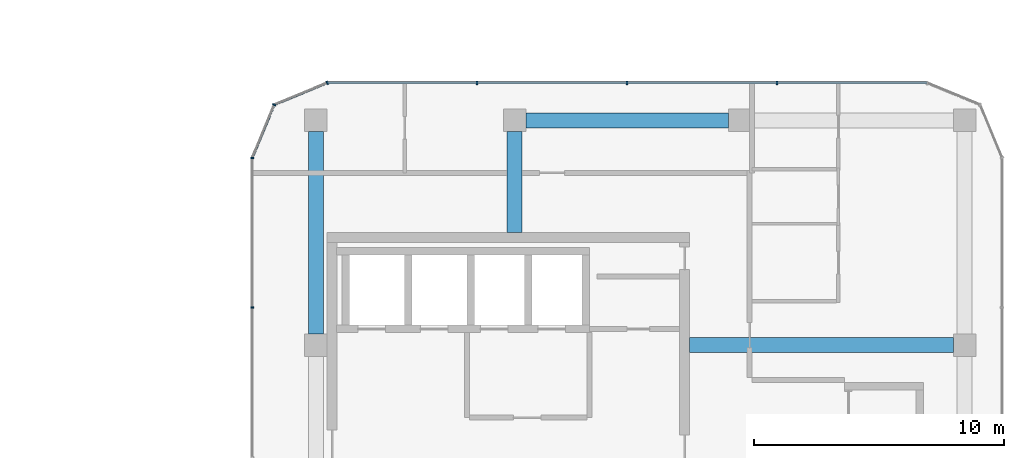
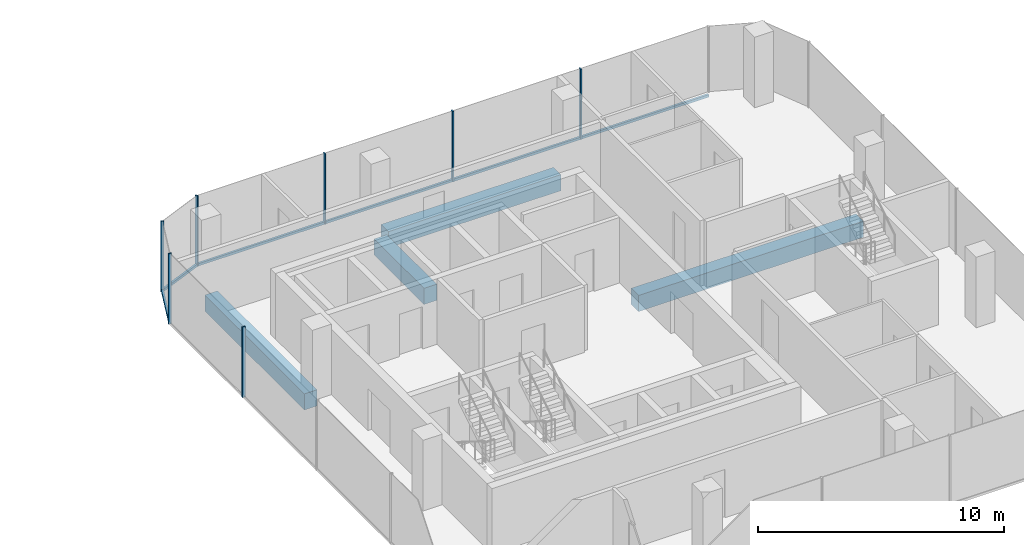
# One storey, part 9 of 23: 10 members, 4 beams, 4 elements without a shape of their own.
"""IFC4 building model written with IfcOpenShell, lengths in metres."""

from ifc_helpers import new_model, si_unit, direction, frame, origin, origin_2d, place, context, subcontext, project, spatial, rectangle, extrude, material, layer, layer_set, material_profile, profile_set, type_object, element, aggregate, save


model = new_model("IFC4")

# Units and contexts
model_context = context("Model", 3, precision=1e-05, world=origin(), true_north=direction((0.0, 1.0)))
body_context = subcontext(model_context, "Body", "Model", "MODEL_VIEW")
ifc_project = project(units=[si_unit("LENGTHUNIT", "METRE"), si_unit("AREAUNIT", "SQUARE_METRE"), si_unit("VOLUMEUNIT", "CUBIC_METRE"), si_unit("PLANEANGLEUNIT", "RADIAN"), si_unit("MASSUNIT", "GRAM", prefix="KILO")], contexts=[model_context])

# Site, building, storey
site_placement = place(None, origin())
site = spatial("IfcSite", under=ifc_project, at=site_placement, CompositionType="ELEMENT")
building_placement = place(site_placement, origin())
building = spatial("IfcBuilding", under=site, at=building_placement, Name="Plateau Cross Towers", CompositionType="ELEMENT")
storey_placement = place(building_placement, frame((0.0, 0.0, 95.800048828125)))
storey = spatial("IfcBuildingStorey", under=building, at=storey_placement, Name="L24", CompositionType="ELEMENT", Elevation=95.800048828125)

# Beams
ifc_material_1 = material(Name="Concrete C60/75", Category="concrete")
ifc_material_profile_1 = material_profile(ifc_material_1, rectangle(XDim=0.60009765625, YDim=0.800048828125, at=origin_2d()), Name="RC 600x800")
ifc_profile_set_1 = profile_set([ifc_material_profile_1], Name="Concrete C60/75")
beam_type_1 = type_object("IfcBeamType", Name="Core beam RC 600x800", PredefinedType="BEAM", material=ifc_profile_set_1)
beam_1_placement = place(storey_placement, frame((89.5, 13.5, -0.650146484375), z_axis=(1.0, 0.0, 0.0), x_axis=(0.0, 1.0, 0.0)))
element("IfcBeam", 1, at=beam_1_placement, inside=storey, type_object=beam_type_1, Name="B-CB03@L24", PredefinedType="BEAM", context=body_context, shape_type="SweptSolid", body=[
    extrude(rectangle(XDim=0.60009765625, YDim=0.800048828125, at=origin_2d()), origin(), (0.0, 0.0, 1.0), 10.550048828125),
])
beam_2_placement = place(storey_placement, frame((82.5, 18.0, -0.650146484375), z_axis=(0.0, 1.0, 0.0), x_axis=(-1.0, 0.0, 0.0)))
element("IfcBeam", 2, at=beam_2_placement, inside=storey, type_object=beam_type_1, Name="B-CB04@L24", PredefinedType="BEAM", context=body_context, shape_type="SweptSolid", body=[
    extrude(rectangle(XDim=0.60009765625, YDim=0.800048828125, at=origin_2d()), origin(), (0.0, 0.0, 1.0), 4.050048828125),
])

# Curtain wall, members
ifc_material_2 = material(Name="Dark low-iron glass", Category="glass")
ifc_layer = layer(ifc_material_2, 0.239990234375)
ifc_layer_set = layer_set([ifc_layer], Name="Dark low-iron glass")
curtain_wall_type = type_object("IfcCurtainWallType", Name="Curtain wall office unitised CW-F", PredefinedType="NOTDEFINED", material=ifc_layer_set)
curtain_wall_1_placement = place(storey_placement, origin())
curtain_wall_1 = element("IfcCurtainWall", 3, at=curtain_wall_1_placement, inside=storey, type_object=curtain_wall_type, Name="ENV/B/L24/B990_240", PredefinedType="NOTDEFINED")
ifc_material_3 = material(Name="Black anodised aluminium", Category="aluminium")
ifc_material_profile_2 = material_profile(ifc_material_3, rectangle(XDim=0.06005859375, YDim=0.139892578125, at=origin_2d()), Name="MULLION 60x140")
ifc_profile_set_2 = profile_set([ifc_material_profile_2], Name="Black anodised aluminium")
member_type_1 = type_object("IfcMemberType", Name="Mullion 60x140 office unitised", PredefinedType="MULLION", material=ifc_profile_set_2)
member_1_placement = place(storey_placement, frame((93.0, 24.0, -0.25), z_axis=(0.0, 0.0, 1.0), x_axis=(-1.0, 0.0, 0.0)))
member_1 = element("IfcMember", 4, at=member_1_placement, type_object=member_type_1, Name="CW-F mullion 2", PredefinedType="MULLION", context=body_context, shape_type="SweptSolid", body=[
    extrude(rectangle(XDim=0.06005859375, YDim=0.139892578125, at=origin_2d()), origin(), (0.0, 0.0, 1.0), 3.5),
])
member_2_placement = place(storey_placement, frame((87.0, 24.0, -0.25), z_axis=(0.0, 0.0, 1.0), x_axis=(-1.0, 0.0, 0.0)))
member_2 = element("IfcMember", 5, at=member_2_placement, type_object=member_type_1, Name="CW-F mullion 3", PredefinedType="MULLION", context=body_context, shape_type="SweptSolid", body=[
    extrude(rectangle(XDim=0.06005859375, YDim=0.139892578125, at=origin_2d()), origin(), (0.0, 0.0, 1.0), 3.5),
])
member_3_placement = place(storey_placement, frame((81.0, 24.0, -0.25), z_axis=(0.0, 0.0, 1.0), x_axis=(-1.0, 0.0, 0.0)))
member_3 = element("IfcMember", 6, at=member_3_placement, type_object=member_type_1, Name="CW-F mullion 4", PredefinedType="MULLION", context=body_context, shape_type="SweptSolid", body=[
    extrude(rectangle(XDim=0.06005859375, YDim=0.139892578125, at=origin_2d()), origin(), (0.0, 0.0, 1.0), 3.5),
])

# Curtain wall, member
curtain_wall_2_placement = place(storey_placement, origin())
curtain_wall_2 = element("IfcCurtainWall", 7, at=curtain_wall_2_placement, inside=storey, type_object=curtain_wall_type, Name="ENV/B/L24/B750_240", PredefinedType="NOTDEFINED")
member_4_placement = place(storey_placement, frame((75.0, 24.0, -0.25), z_axis=(0.0, 0.0, 1.0), x_axis=(-0.923879457699, -0.382683612978, 0.0)))
member_4 = element("IfcMember", 8, at=member_4_placement, type_object=member_type_1, Name="CW-F mullion 1", PredefinedType="MULLION", context=body_context, shape_type="SweptSolid", body=[
    extrude(rectangle(XDim=0.06005859375, YDim=0.139892578125, at=origin_2d()), origin(), (0.0, 0.0, 1.0), 3.5),
])

curtain_wall_3_placement = place(storey_placement, origin())
curtain_wall_3 = element("IfcCurtainWall", 9, at=curtain_wall_3_placement, inside=storey, type_object=curtain_wall_type, Name="ENV/B/L24/B729_231", PredefinedType="NOTDEFINED")
member_5_placement = place(storey_placement, frame((72.878662109375, 23.121337890625, -0.25), z_axis=(0.0, 0.0, 1.0), x_axis=(-0.382683612978, -0.923879457699, 0.0)))
member_5 = element("IfcMember", 10, at=member_5_placement, type_object=member_type_1, Name="CW-F mullion 1", PredefinedType="MULLION", context=body_context, shape_type="SweptSolid", body=[
    extrude(rectangle(XDim=0.06005859375, YDim=0.139892578125, at=origin_2d()), origin(), (0.0, 0.0, 1.0), 3.5),
])

# Curtain wall, members
curtain_wall_4_placement = place(storey_placement, origin())
curtain_wall_4 = element("IfcCurtainWall", 11, at=curtain_wall_4_placement, inside=storey, type_object=curtain_wall_type, Name="ENV/B/L24/B720_210", PredefinedType="NOTDEFINED")
member_6_placement = place(storey_placement, frame((72.0, 21.0, -0.25), z_axis=(0.0, 0.0, 1.0), x_axis=(0.0, -1.0, 0.0)))
member_6 = element("IfcMember", 12, at=member_6_placement, type_object=member_type_1, Name="CW-F mullion 1", PredefinedType="MULLION", context=body_context, shape_type="SweptSolid", body=[
    extrude(rectangle(XDim=0.06005859375, YDim=0.139892578125, at=origin_2d()), origin(), (0.0, 0.0, 1.0), 3.5),
])
member_7_placement = place(storey_placement, frame((72.0, 15.0, -0.25), z_axis=(0.0, 0.0, 1.0), x_axis=(0.0, -1.0, 0.0)))
member_7 = element("IfcMember", 13, at=member_7_placement, type_object=member_type_1, Name="CW-F mullion 2", PredefinedType="MULLION", context=body_context, shape_type="SweptSolid", body=[
    extrude(rectangle(XDim=0.06005859375, YDim=0.139892578125, at=origin_2d()), origin(), (0.0, 0.0, 1.0), 3.5),
])
aggregate(curtain_wall_4, [member_6, member_7])

# Beams
ifc_material_profile_3 = material_profile(ifc_material_1, rectangle(XDim=0.60009765625, YDim=0.800048828125, at=origin_2d()), Name="RC 600x800")
ifc_profile_set_3 = profile_set([ifc_material_profile_3], Name="Concrete C60/75")
beam_type_2 = type_object("IfcBeamType", Name="Ring beam RC 600x800", PredefinedType="BEAM", material=ifc_profile_set_3)
for number, where, z_axis, x_axis, name in (
    (14, (91.050048828125, 22.5, -0.650146484375), (-1.0, 0.0, 0.0), (0.0, -1.0, 0.0), "B-RB07@L24"),
    (15, (74.550048828125, 22.050048828125, -0.650146484375), (0.0, -1.0, 0.0), (1.0, 0.0, 0.0), "B-RB08@L24"),
):
    element("IfcBeam", number, at=place(storey_placement, frame(where, z_axis=z_axis, x_axis=x_axis)), inside=storey, type_object=beam_type_2, Name=name, PredefinedType="BEAM", context=body_context, shape_type="SweptSolid", body=[
        extrude(rectangle(XDim=0.60009765625, YDim=0.800048828125, at=origin_2d()), origin(), (0.0, 0.0, 1.0), 8.10009765625),
    ])

# Member
ifc_material_profile_4 = material_profile(ifc_material_3, rectangle(XDim=0.10009765625, YDim=0.1201171875, at=origin_2d()), Name="TRANSOM 100x120")
ifc_profile_set_4 = profile_set([ifc_material_profile_4], Name="Black anodised aluminium")
member_type_2 = type_object("IfcMemberType", Name="Transom 100x120 office unitised", PredefinedType="USERDEFINED", material=ifc_profile_set_4)
member_8_placement = place(storey_placement, frame((99.0, 24.0, -0.18994140625), z_axis=(-1.0, 0.0, 0.0), x_axis=(0.0, -1.0, 0.0)))
member_8 = element("IfcMember", 16, at=member_8_placement, type_object=member_type_2, Name="CW-F transom", ObjectType="TRANSOM", PredefinedType="USERDEFINED", context=body_context, shape_type="SweptSolid", body=[
    extrude(rectangle(XDim=0.10009765625, YDim=0.1201171875, at=origin_2d()), origin(), (0.0, 0.0, 1.0), 24.0),
])

aggregate(curtain_wall_1, [member_1, member_2, member_3, member_8])

member_9_placement = place(storey_placement, frame((75.0, 24.0, -0.18994140625), z_axis=(-0.923883353507, -0.382674207535, 0.0), x_axis=(0.382674207535, -0.923883353507, 0.0)))
member_9 = element("IfcMember", 17, at=member_9_placement, type_object=member_type_2, Name="CW-F transom", ObjectType="TRANSOM", PredefinedType="USERDEFINED", context=body_context, shape_type="SweptSolid", body=[
    extrude(rectangle(XDim=0.10009765625, YDim=0.1201171875, at=origin_2d()), origin(), (0.0, 0.0, 1.0), 2.296142578125),
])

aggregate(curtain_wall_2, [member_4, member_9])

member_10_placement = place(storey_placement, frame((72.878662109375, 23.121337890625, -0.18994140625), z_axis=(-0.382674207535, -0.923883353507, 0.0), x_axis=(0.923883353507, -0.382674207535, 0.0)))
member_10 = element("IfcMember", 18, at=member_10_placement, type_object=member_type_2, Name="CW-F transom", ObjectType="TRANSOM", PredefinedType="USERDEFINED", context=body_context, shape_type="SweptSolid", body=[
    extrude(rectangle(XDim=0.10009765625, YDim=0.1201171875, at=origin_2d()), origin(), (0.0, 0.0, 1.0), 2.296142578125),
])

aggregate(curtain_wall_3, [member_5, member_10])

save(model, "model.ifc")
